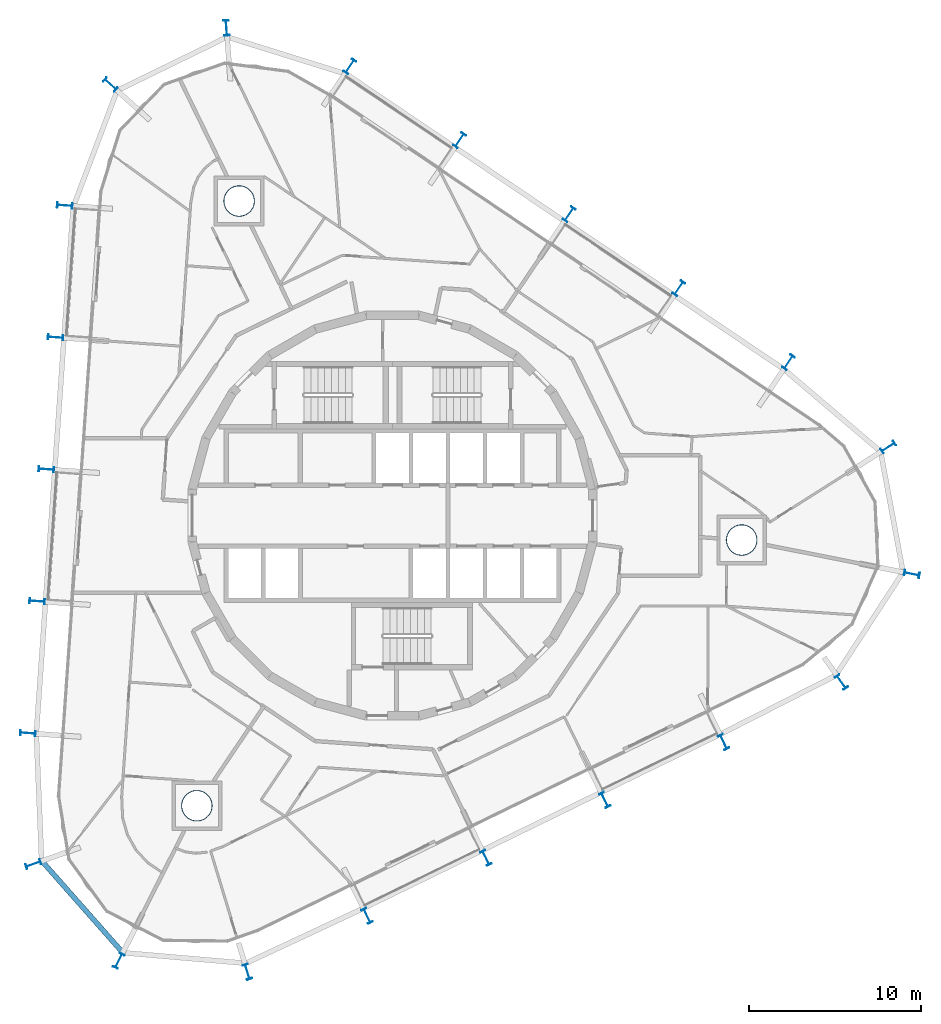
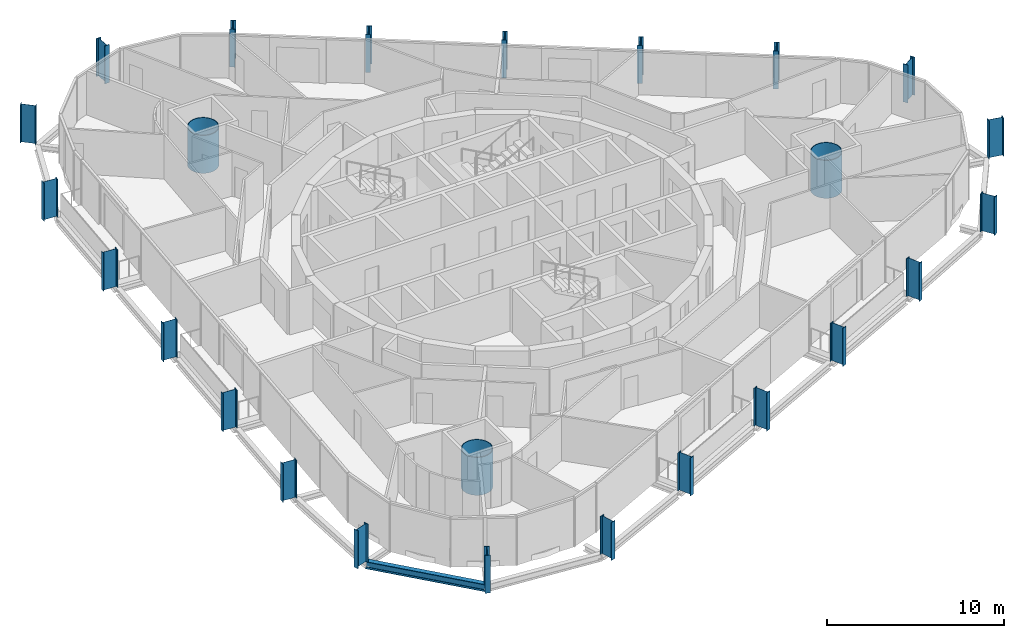
# One storey, part 1 of 17: 25 columns, 1 beam.
"""IFC4 building model written with IfcOpenShell, lengths in metres."""

import ifcopenshell
import ifcopenshell.guid

model = None  # the IFC model being written
_history = None  # IfcOwnerHistory: only IFC2X3 demands one
_inside = {}  # id of a spatial element -> (the spatial element, [elements in it])
_under = {}  # id of a project, library or spatial element -> (it, [spatial elements below it])
_declared = {}  # id of a project -> (the project, [libraries it declares])
_typed = {}  # id of a type object -> (the type object, [elements of that type])
_made_of = {}  # id of a material, layer set ... -> (it, [elements and type objects made of it])


def new_model(schema):
    """Start an empty IFC model of exactly this schema.

    Asked for "IFC4X3", IfcOpenShell would pick the latest addendum, in which some entities
    have other attributes; the version numbers below select the first issue.
    IFC2X3 requires an IfcOwnerHistory on every rooted entity: one is made here for all.
    """
    global model, _history
    if schema == "IFC4X3":
        model = ifcopenshell.file(schema_version=(4, 3, 0, 0))
    else:
        model = ifcopenshell.file(schema=schema)
    _inside.clear()
    _under.clear()
    _declared.clear()
    _typed.clear()
    _made_of.clear()
    _history = None
    if model.schema == "IFC2X3":
        org = make("IfcOrganization", Name="unknown")
        user = make(
            "IfcPersonAndOrganization",
            ThePerson=make("IfcPerson", FamilyName="unknown"),
            TheOrganization=org,
        )
        app = make(
            "IfcApplication",
            ApplicationDeveloper=org,
            Version="unknown",
            ApplicationFullName="unknown",
            ApplicationIdentifier="unknown",
        )
        _history = make(
            "IfcOwnerHistory",
            OwningUser=user,
            OwningApplication=app,
            ChangeAction="ADDED",
            CreationDate=0,
        )
    return model


def make(cls, **values):
    """One entity of the class cls with the attributes given. An attribute that is None is left unset."""
    return model.create_entity(
        cls, **{name: value for name, value in values.items() if value is not None}
    )


def rooted(cls, **values):
    """An entity with a GlobalId (a new one), such as an element, a storey or a relation."""
    return make(cls, GlobalId=ifcopenshell.guid.new(), OwnerHistory=_history, **values)


def si_unit(unit_type, name, prefix=None):
    """IfcSIUnit, for example si_unit("LENGTHUNIT", "METRE", prefix="MILLI")."""
    return make("IfcSIUnit", UnitType=unit_type, Prefix=prefix, Name=name)


def assignment(units):
    """IfcUnitAssignment: the units of a project."""
    return None if units is None else make("IfcUnitAssignment", Units=units)


def point(xyz):
    """IfcCartesianPoint."""
    return None if xyz is None else make("IfcCartesianPoint", Coordinates=xyz)


def direction(xyz):
    """IfcDirection."""
    return None if xyz is None else make("IfcDirection", DirectionRatios=xyz)


def frame(location, z_axis=None, x_axis=None):
    """IfcAxis2Placement3D, a coordinate frame: its origin and axes. An axis left out is left unset."""
    return make(
        "IfcAxis2Placement3D",
        Location=point(location),
        Axis=direction(z_axis),
        RefDirection=direction(x_axis),
    )


def frame_2d(location, x_axis=None):
    """IfcAxis2Placement2D, a coordinate frame in the plane: its origin and x axis."""
    return make(
        "IfcAxis2Placement2D", Location=point(location), RefDirection=direction(x_axis)
    )


def origin():
    """The frame at (0, 0, 0) with its axes left unset."""
    return frame((0.0, 0.0, 0.0))


def origin_2d():
    """The frame at (0, 0) in the plane with its x axis left unset."""
    return frame_2d((0.0, 0.0))


def place(relative_to, where):
    """IfcLocalPlacement: puts the frame where relative to a parent placement (None: the world)."""
    return make(
        "IfcLocalPlacement", PlacementRelTo=relative_to, RelativePlacement=where
    )


def context(
    kind, dimensions, precision=None, world=None, true_north=None, identifier=None
):
    """IfcGeometricRepresentationContext, for example the 3D "Model" context."""
    return make(
        "IfcGeometricRepresentationContext",
        ContextIdentifier=identifier,
        ContextType=kind,
        CoordinateSpaceDimension=dimensions,
        Precision=precision,
        WorldCoordinateSystem=world,
        TrueNorth=true_north,
    )


def subcontext(parent, identifier, kind, view, scale=None):
    """IfcGeometricRepresentationSubContext, for example "Body" below "Model"."""
    return make(
        "IfcGeometricRepresentationSubContext",
        ContextIdentifier=identifier,
        ContextType=kind,
        ParentContext=parent,
        TargetScale=scale,
        TargetView=view,
    )


def project(units=None, contexts=None):
    """IfcProject with its units and contexts."""
    return rooted(
        "IfcProject",
        Name="project",
        RepresentationContexts=contexts,
        UnitsInContext=assignment(units),
    )


def spatial(cls, under=None, at=None, **own):
    """A site, building, storey or space (cls), placed at a placement, below another one or the project."""
    s = rooted(cls, ObjectPlacement=at, **own)
    if under is not None:
        _under.setdefault(under.id(), (under, []))[1].append(s)
    return s


def profile(cls, at=None, kind="AREA", **sizes):
    """A parametric profile (cls). Its sizes go by their IFC names, for example OverallWidth=200.0."""
    return make(cls, ProfileType=kind, Position=at, **sizes)


def hollow_circle(**sizes):
    """IfcCircleHollowProfileDef."""
    return profile("IfcCircleHollowProfileDef", **sizes)


def i_section(**sizes):
    """IfcIShapeProfileDef."""
    return profile("IfcIShapeProfileDef", **sizes)


def extrude(swept, where, along, depth):
    """IfcExtrudedAreaSolid: the profile swept, set in the frame where, extruded along a direction by depth."""
    return make(
        "IfcExtrudedAreaSolid",
        SweptArea=swept,
        Position=where,
        ExtrudedDirection=direction(along),
        Depth=depth,
    )


def shape(context_of_items, identifier, shape_type, items):
    """IfcShapeRepresentation: the items that make up one representation, for example the "Body"."""
    return make(
        "IfcShapeRepresentation",
        ContextOfItems=context_of_items,
        RepresentationIdentifier=identifier,
        RepresentationType=shape_type,
        Items=items,
    )


def material(Name=None, Category=None):
    """IfcMaterial."""
    return make("IfcMaterial", Name=Name, Category=Category)


def material_profile(
    of_material, cross_section, Name=None, Category=None, Priority=None
):
    """IfcMaterialProfile: a cross section and its material."""
    return make(
        "IfcMaterialProfile",
        Name=Name,
        Material=of_material,
        Profile=cross_section,
        Priority=Priority,
        Category=Category,
    )


def profile_set(profiles, Name=None, composite=None):
    """IfcMaterialProfileSet."""
    return make(
        "IfcMaterialProfileSet",
        Name=Name,
        MaterialProfiles=profiles,
        CompositeProfile=composite,
    )


def made_of(thing, what):
    """Note that an element or type object is made of a material, layer set ...; save() writes the relation."""
    if what is not None:
        _made_of.setdefault(what.id(), (what, []))[1].append(thing)
    return thing


def type_object(cls, material=None, **own):
    """A type object (cls), such as IfcWallType, which elements share."""
    return made_of(rooted(cls, **own), material)


def element(
    cls,
    number,
    at=None,
    inside=None,
    cuts=None,
    type_object=None,
    material=None,
    context=None,
    identifier="Body",
    shape_type=None,
    held_by="IfcProductDefinitionShape",
    body=None,
    shapes=None,
    **own,
):
    """One element of the class cls, such as IfcWall. Its Tag is "e" and its number.

    at: its placement. inside: the storey or other place that contains it. cuts: it is an
    opening in that element (IfcRelVoidsElement). A single representation is given by context,
    identifier, shape_type and body (its items); several are given by shapes. held_by: the class
    of the entity that holds the representations. save() writes the other relations.
    """
    e = rooted(cls, Tag="e%d" % number, ObjectPlacement=at, **own)
    if body is not None:
        shapes = [shape(context, identifier, shape_type, body)]
    if shapes is not None:
        e.Representation = make(held_by, Representations=shapes)
    if inside is not None:
        _inside.setdefault(inside.id(), (inside, []))[1].append(e)
    if cuts is not None:
        rooted(
            "IfcRelVoidsElement", RelatingBuildingElement=cuts, RelatedOpeningElement=e
        )
    if type_object is not None:
        _typed.setdefault(type_object.id(), (type_object, []))[1].append(e)
    return made_of(e, material)


def aggregate(whole, parts):
    """IfcRelAggregates: a whole, such as a stair, and the parts it consists of."""
    return rooted("IfcRelAggregates", RelatingObject=whole, RelatedObjects=parts)


def save(model, path):
    """Write the relations noted so far, then the file.

    IfcRelAggregates (storeys below a building ...), IfcRelContainedInSpatialStructure (elements
    in a storey), IfcRelDefinesByType, IfcRelAssociatesMaterial and IfcRelDeclares: one each for
    every whole, place, type object, material and project.
    """
    for whole, parts in _under.values():
        aggregate(whole, parts)
    for where, things in _inside.values():
        rooted(
            "IfcRelContainedInSpatialStructure",
            RelatedElements=things,
            RelatingStructure=where,
        )
    for kind, things in _typed.values():
        rooted("IfcRelDefinesByType", RelatedObjects=things, RelatingType=kind)
    for what, things in _made_of.values():
        rooted("IfcRelAssociatesMaterial", RelatedObjects=things, RelatingMaterial=what)
    for by, libraries in _declared.values():
        rooted("IfcRelDeclares", RelatingContext=by, RelatedDefinitions=libraries)
    model.write(path)


model = new_model("IFC4")

# Units and contexts
model_context = context("Model", 3, precision=1e-05, world=origin(), true_north=direction((0.0, 1.0)))
body_context = subcontext(model_context, "Body", "Model", "MODEL_VIEW")
ifc_project = project(units=[si_unit("LENGTHUNIT", "METRE"), si_unit("AREAUNIT", "SQUARE_METRE"), si_unit("VOLUMEUNIT", "CUBIC_METRE"), si_unit("PLANEANGLEUNIT", "RADIAN"), si_unit("MASSUNIT", "GRAM", prefix="KILO")], contexts=[model_context])

# Site, building, storey
site_placement = place(None, origin())
site = spatial("IfcSite", under=ifc_project, at=site_placement, CompositionType="ELEMENT")
building_placement = place(site_placement, origin())
building = spatial("IfcBuilding", under=site, at=building_placement, Name="Spindle Arch Residences", CompositionType="ELEMENT")
storey_placement = place(building_placement, frame((0.0, 0.0, 216.39990234375)))
storey = spatial("IfcBuildingStorey", under=building, at=storey_placement, Name="L55", CompositionType="ELEMENT", Elevation=216.39990234375)

# Columns
ifc_material_1 = material(Name="Steel S460ML, intumescent coating R 240", Category="steel")
ifc_material_profile_1 = material_profile(ifc_material_1, i_section(OverallWidth=0.300048828125, OverallDepth=0.89990234375, WebThickness=0.0185546875, FlangeThickness=0.034912109375, FilletRadius=0.030029296875, at=origin_2d()), Name="HEB 900")
ifc_profile_set_1 = profile_set([ifc_material_profile_1], Name="Steel S460ML, intumescent coating R 240")
column_type_1 = type_object("IfcColumnType", Name="Exoskeleton post HEB 900", PredefinedType="COLUMN", material=ifc_profile_set_1)
for number, where, z_axis, x_axis, name in (
    (1, (12.347900390625, -16.5419921875, -0.3798828125), (0.0, 0.0, 1.0), (-0.898794095235, -0.438371046456, 0.0), "Exoskeleton post 1"),
    (2, (19.26318359375, -13.169189453125, -0.3798828125), (0.0, 0.0, 1.0), (-0.898794095235, -0.438371046456, 0.0), "Exoskeleton post 2"),
    (3, (26.11669921875, -9.685546875, -0.3798828125), (0.0, 0.0, 1.0), (-0.818345137662, -0.574727096686, 0.0), "Exoskeleton post 3"),
    (4, (30.217041015625, -3.39501953125, -0.3798828125), (0.0, 0.0, 1.0), (-0.195504943379, -0.980702715972, 0.0), "Exoskeleton post 4"),
    (5, (28.84228515625, 3.9873046875, -0.3798828125), (0.0, 0.0, 1.0), (0.535400283339, -0.844598446956, 0.0), "Exoskeleton post 5"),
    (6, (23.03466796875, 8.926025390625, -0.3798828125), (0.0, 0.0, 1.0), (0.829037661466, -0.559192771654, 0.0), "Exoskeleton post 6"),
    (7, (16.65625, 13.228271484375, -0.3798828125), (0.0, 0.0, 1.0), (0.829037661466, -0.559192771654, 0.0), "Exoskeleton post 7"),
    (8, (10.27783203125, 17.530517578125, -0.3798828125), (0.0, 0.0, 1.0), (0.829037661466, -0.559192771654, 0.0), "Exoskeleton post 8"),
    (9, (3.8994140625, 21.832763671875, -0.3798828125), (0.0, 0.0, 1.0), (0.829037661466, -0.559192771654, 0.0), "Exoskeleton post 9"),
    (10, (-2.47900390625, 26.135009765625, -0.3798828125), (0.0, 0.0, 1.0), (0.829037661466, -0.559192771654, 0.0), "Exoskeleton post 10"),
    (11, (-9.66162109375, 28.3740234375, -0.3798828125), (0.0, 0.0, 1.0), (0.997343345089, 0.072844025201, 0.0), "Exoskeleton post 11"),
    (12, (-16.41064453125, 25.082275390625, -0.3798828125), (0.0, 0.0, 1.0), (0.671427897912, 0.741069887329, 0.0), "Exoskeleton post 12"),
    (13, (-19.068603515625, 18.043701171875, -0.3798828125), (0.0, 0.0, 1.0), (0.069756005795, 0.997564082982, 0.0), "Exoskeleton post 13"),
    (14, (-19.605224609375, 10.368896484375, -0.3798828125), (0.0, 0.0, 1.0), (0.069756005795, 0.997564082982, 0.0), "Exoskeleton post 14"),
    (15, (-20.141845703125, 2.69384765625, -0.3798828125), (0.0, 0.0, 1.0), (0.069756005795, 0.997564082982, 0.0), "Exoskeleton post 15"),
    (16, (-20.6787109375, -4.981201171875, -0.3798828125), (0.0, 0.0, 1.0), (0.069756005795, 0.997564082982, 0.0), "Exoskeleton post 16"),
    (17, (-21.21533203125, -12.656005859375, -0.3798828125), (0.0, 0.0, 1.0), (0.069756005795, 0.997564082982, 0.0), "Exoskeleton post 17"),
    (18, (-20.899169921875, -20.273193359375, -0.3798828125), (0.0, 0.0, 1.0), (-0.335927007751, 0.941888021722, 0.0), "Exoskeleton post 18"),
    (19, (-15.92822265625, -25.901611328125, -0.3798828125), (0.0, 0.0, 1.0), (-0.893169071277, 0.449721035881, 0.0), "Exoskeleton post 19"),
    (20, (-8.446533203125, -26.543212890625, -0.3798828125), (0.0, 0.0, 1.0), (-0.956714575216, -0.291027870778, 0.0), "Exoskeleton post 20"),
    (21, (-1.482177734375, -23.287353515625, -0.3798828125), (0.0, 0.0, 1.0), (-0.898794095235, -0.438371046456, 0.0), "Exoskeleton post 21"),
    (22, (5.43310546875, -19.91455078125, -0.3798828125), (0.0, 0.0, 1.0), (-0.898794095235, -0.438371046456, 0.0), "Exoskeleton post 22"),
):
    element("IfcColumn", number, at=place(storey_placement, frame(where, z_axis=z_axis, x_axis=x_axis)), inside=storey, type_object=column_type_1, Name=name, PredefinedType="COLUMN", context=body_context, shape_type="SweptSolid", body=[
        extrude(i_section(OverallWidth=0.300048828125, OverallDepth=0.89990234375, WebThickness=0.0185546875, FlangeThickness=0.034912109375, FilletRadius=0.030029296875, at=origin_2d()), origin(), (0.0, 0.0, 1.0), 2.615966796875),
    ])
ifc_material_2 = material(Name="Concrete C50/60 filled steel tube S460ML, intumescent coating R 240", Category="concrete")
ifc_material_profile_2 = material_profile(ifc_material_2, hollow_circle(Radius=0.89990234375, WallThickness=0.0400390625, at=origin_2d()), Name="CFT D1800x40")
ifc_profile_set_2 = profile_set([ifc_material_profile_2], Name="Concrete C50/60 filled steel tube S460ML, intumescent coating R 240")
column_type_2 = type_object("IfcColumnType", Name="Mega-column CFT D1800x40", PredefinedType="COLUMN", material=ifc_profile_set_2)
for number, where, z_axis, x_axis, name in (
    (23, (20.31201171875, -1.42041015625, -0.3798828125), (0.0, 0.0, 1.0), (1.0, 0.0, 0.0), "Mega-column 1"),
    (24, (-8.92578125, 18.30078125, -0.3798828125), (0.0, 0.0, 1.0), (1.0, 0.0, 0.0), "Mega-column 2"),
    (25, (-11.385986328125, -16.880615234375, -0.3798828125), (0.0, 0.0, 1.0), (1.0, 0.0, 0.0), "Mega-column 3"),
):
    element("IfcColumn", number, at=place(storey_placement, frame(where, z_axis=z_axis, x_axis=x_axis)), inside=storey, type_object=column_type_2, Name=name, PredefinedType="COLUMN", context=body_context, shape_type="SweptSolid", body=[
        extrude(hollow_circle(Radius=0.89990234375, WallThickness=0.0400390625, at=origin_2d()), origin(), (0.0, 0.0, 1.0), 2.615966796875),
    ])

# Beam
ifc_material_3 = material(Name="Steel S460ML, intumescent coating R 120", Category="steel")
ifc_material_profile_3 = material_profile(ifc_material_3, i_section(OverallWidth=0.300048828125, OverallDepth=0.5, WebThickness=0.014404296875, FlangeThickness=0.028076171875, FilletRadius=0.027099609375, at=origin_2d()), Name="HEB 500")
ifc_profile_set_3 = profile_set([ifc_material_profile_3], Name="Steel S460ML, intumescent coating R 120")
beam_type = type_object("IfcBeamType", Name="Exoskeleton edge beam HEB 500", PredefinedType="BEAM", material=ifc_profile_set_3)
beam_placement = place(storey_placement, frame((-20.44580078125, -20.04638671875, -0.6298828125), z_axis=(0.661985798565, -0.749516379073, 0.0), x_axis=(0.749516379073, 0.661985798565, 0.0)))
element("IfcBeam", 26, at=beam_placement, inside=storey, type_object=beam_type, Name="Exoskeleton edge beam 18", PredefinedType="BEAM", context=body_context, shape_type="SweptSolid", body=[
    extrude(i_section(OverallWidth=0.300048828125, OverallDepth=0.5, WebThickness=0.014404296875, FlangeThickness=0.028076171875, FilletRadius=0.027099609375, at=origin_2d()), origin(), (0.0, 0.0, 1.0), 7.2490234375),
])

save(model, "model.ifc")
